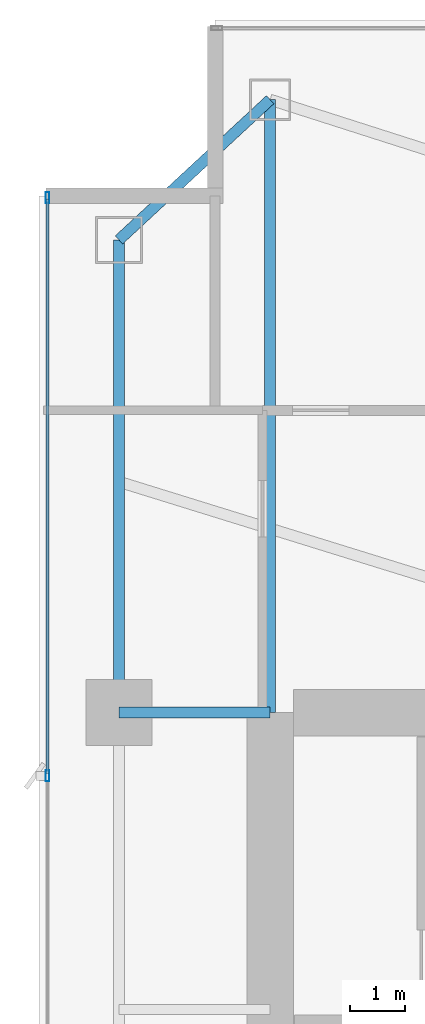
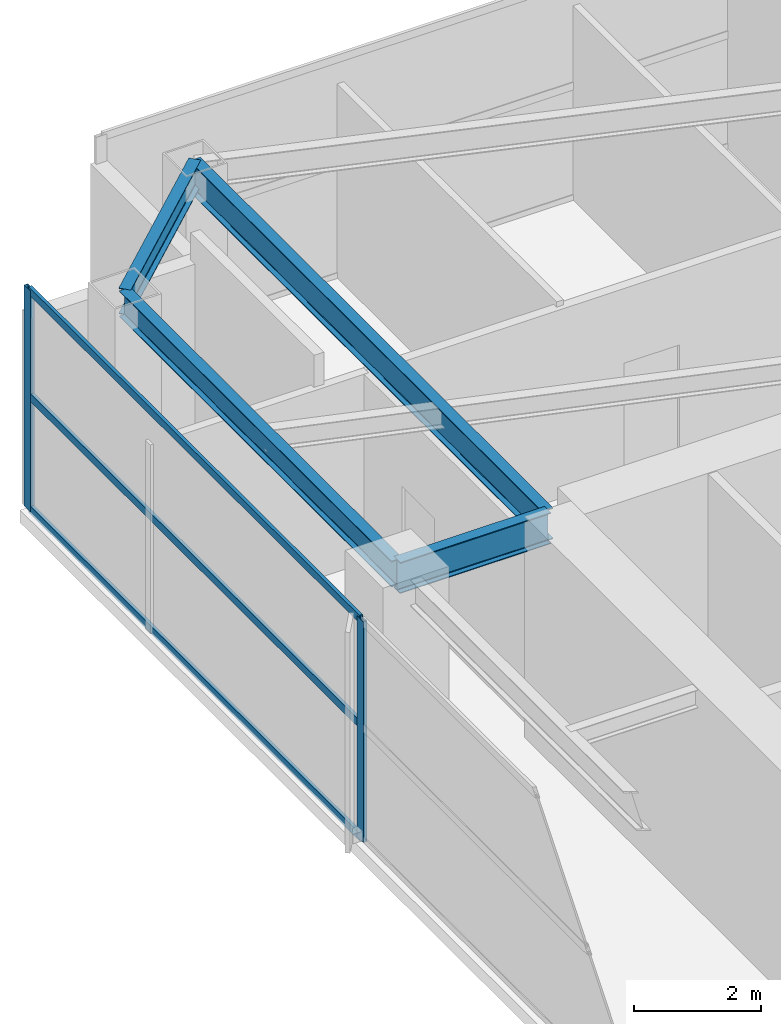
# One storey, part 15 of 26: 5 members, 4 beams, 1 element without a shape of its own.
"""IFC4 building model written with IfcOpenShell, lengths in metres."""

from ifc_helpers import new_model, si_unit, direction, frame, origin, origin_2d, place, context, subcontext, project, spatial, hollow_rectangle, i_section, extrude, material, layer, layer_set, material_profile, profile_set, type_object, element, aggregate, save


model = new_model("IFC4")

# Units and contexts
model_context = context("Model", 3, precision=1e-05, world=origin(), true_north=direction((0.0, 1.0)))
body_context = subcontext(model_context, "Body", "Model", "MODEL_VIEW")
ifc_project = project(units=[si_unit("LENGTHUNIT", "METRE"), si_unit("AREAUNIT", "SQUARE_METRE"), si_unit("VOLUMEUNIT", "CUBIC_METRE"), si_unit("PLANEANGLEUNIT", "RADIAN"), si_unit("MASSUNIT", "GRAM", prefix="KILO")], contexts=[model_context])

# Site, building, storey
site_placement = place(None, origin())
site = spatial("IfcSite", under=ifc_project, at=site_placement, CompositionType="ELEMENT")
building_placement = place(site_placement, origin())
building = spatial("IfcBuilding", under=site, at=building_placement, Name="Calvorn Quay Hotel", CompositionType="ELEMENT")
storey_placement = place(building_placement, frame((0.0, 0.0, 144.0)))
storey = spatial("IfcBuildingStorey", under=building, at=storey_placement, Name="L35", CompositionType="ELEMENT", Elevation=144.0)

# Beams
ifc_material_1 = material(Name="Steel Q355B", Category="steel")
ifc_material_profile_1 = material_profile(ifc_material_1, i_section(OverallWidth=0.199951171875, OverallDepth=0.60009765625, WebThickness=0.010986328125, FlangeThickness=0.01708984375, FilletRadius=0.01806640625, at=origin_2d()), Name="HN600x200x11x17")
ifc_profile_set_1 = profile_set([ifc_material_profile_1], Name="Steel Q355B")
beam_type_1 = type_object("IfcBeamType", Name="BM-GIRD-TYP", PredefinedType="BEAM", material=ifc_profile_set_1)
beam_1_placement = place(storey_placement, frame((1.449951171875, 38.39990234375, 3.93994140625), z_axis=(1.0, 0.0, 0.0), x_axis=(0.0, 1.0, 0.0)))
element("IfcBeam", 1, at=beam_1_placement, inside=storey, type_object=beam_type_1, Name="Beam BG-L35-W3", PredefinedType="BEAM", context=body_context, shape_type="SweptSolid", body=[
    extrude(i_section(OverallWidth=0.199951171875, OverallDepth=0.60009765625, WebThickness=0.010986328125, FlangeThickness=0.01708984375, FilletRadius=0.01806640625, at=origin_2d()), origin(), (0.0, 0.0, 1.0), 2.75),
])
beam_2_placement = place(storey_placement, frame((4.199951171875, 49.550048828125, 3.93994140625), z_axis=(0.0, -1.0, 0.0), x_axis=(1.0, 0.0, 0.0)))
element("IfcBeam", 2, at=beam_2_placement, inside=storey, type_object=beam_type_1, Name="Beam BG-L35-W5", PredefinedType="BEAM", context=body_context, shape_type="SweptSolid", body=[
    extrude(i_section(OverallWidth=0.199951171875, OverallDepth=0.60009765625, WebThickness=0.010986328125, FlangeThickness=0.01708984375, FilletRadius=0.01806640625, at=origin_2d()), origin(), (0.0, 0.0, 1.0), 11.150146484375),
])
ifc_material_2 = material(Name="Steel Q355B", Category="steel")
ifc_material_profile_2 = material_profile(ifc_material_2, i_section(OverallWidth=0.199951171875, OverallDepth=0.5, WebThickness=0.010009765625, FlangeThickness=0.01611328125, FilletRadius=0.01611328125, at=origin_2d()), Name="HN500x200x10x16")
ifc_profile_set_2 = profile_set([ifc_material_profile_2], Name="Steel Q355B")
beam_type_2 = type_object("IfcBeamType", Name="BM-SPANDREL-Z1", PredefinedType="SPANDREL", material=ifc_profile_set_2)
beam_3_placement = place(storey_placement, frame((1.449951171875, 38.39990234375, 3.989990234375), z_axis=(0.0, 1.0, 0.0), x_axis=(-1.0, 0.0, 0.0)))
element("IfcBeam", 3, at=beam_3_placement, inside=storey, type_object=beam_type_2, Name="Beam BSP-L35-W4", PredefinedType="SPANDREL", context=body_context, shape_type="SweptSolid", body=[
    extrude(i_section(OverallWidth=0.199951171875, OverallDepth=0.5, WebThickness=0.010009765625, FlangeThickness=0.01611328125, FilletRadius=0.01611328125, at=origin_2d()), origin(), (0.0, 0.0, 1.0), 8.60009765625),
])
beam_4_placement = place(storey_placement, frame((1.449951171875, 47.0, 3.989990234375), z_axis=(0.733261665538, 0.679946563969, 0.0), x_axis=(-0.679946563969, 0.733261665538, 0.0)))
element("IfcBeam", 4, at=beam_4_placement, inside=storey, type_object=beam_type_2, Name="Beam BSP-L35-W5", PredefinedType="SPANDREL", context=body_context, shape_type="SweptSolid", body=[
    extrude(i_section(OverallWidth=0.199951171875, OverallDepth=0.5, WebThickness=0.010009765625, FlangeThickness=0.01611328125, FilletRadius=0.01611328125, at=origin_2d()), origin(), (0.0, 0.0, 1.0), 3.75048828125),
])

# Curtain wall, members
ifc_material_3 = material(Name="Pale Anodised Aluminium and Low-E Glass", Category="aluminium")
ifc_layer = layer(ifc_material_3, 0.219970703125)
ifc_layer_set = layer_set([ifc_layer], Name="CW-SYS-Z2")
curtain_wall_type = type_object("IfcCurtainWallType", Name="CW-SYS-Z2", PredefinedType="NOTDEFINED", material=ifc_layer_set)
curtain_wall_placement = place(storey_placement, origin())
curtain_wall = element("IfcCurtainWall", 5, at=curtain_wall_placement, inside=storey, type_object=curtain_wall_type, Name="Tower West Curtain Wall (L35)", PredefinedType="NOTDEFINED")
ifc_material_4 = material(Name="Pale Anodised Aluminium 6063-T6", Category="aluminium")
ifc_material_profile_3 = material_profile(ifc_material_4, hollow_rectangle(XDim=0.070068359375, YDim=0.199951171875, WallThickness=0.00390625, at=origin_2d()), Name="ALU-M200x70x4")
ifc_profile_set_3 = profile_set([ifc_material_profile_3], Name="Pale Anodised Aluminium 6063-T6")
member_type_1 = type_object("IfcMemberType", Name="CW-SYS-Z2-MUL", PredefinedType="MULLION", material=ifc_profile_set_3)
member_1_placement = place(storey_placement, frame((0.14990234375, 37.25, 0.0), z_axis=(0.0, 0.0, 1.0), x_axis=(-1.0, 0.0, 0.0)))
member_1 = element("IfcMember", 6, at=member_1_placement, type_object=member_type_1, Name="CW-L35-W mullion 4", PredefinedType="MULLION", context=body_context, shape_type="SweptSolid", body=[
    extrude(hollow_rectangle(XDim=0.070068359375, YDim=0.199951171875, WallThickness=0.00390625, at=origin_2d()), origin(), (0.0, 0.0, 1.0), 4.260009765625),
])
member_2_placement = place(storey_placement, frame((0.14990234375, 47.77001953125, 0.0), z_axis=(0.0, 0.0, 1.0), x_axis=(-1.0, 0.0, 0.0)))
member_2 = element("IfcMember", 7, at=member_2_placement, type_object=member_type_1, Name="CW-L35-W mullion 5", PredefinedType="MULLION", context=body_context, shape_type="SweptSolid", body=[
    extrude(hollow_rectangle(XDim=0.070068359375, YDim=0.199951171875, WallThickness=0.00390625, at=origin_2d()), origin(), (0.0, 0.0, 1.0), 4.260009765625),
])
ifc_material_5 = material(Name="Pale Anodised Aluminium 6063-T6", Category="aluminium")
ifc_material_profile_4 = material_profile(ifc_material_5, hollow_rectangle(XDim=0.06005859375, YDim=0.14990234375, WallThickness=0.00341796875, at=origin_2d()), Name="ALU-T150x60x3.5")
ifc_profile_set_4 = profile_set([ifc_material_profile_4], Name="Pale Anodised Aluminium 6063-T6")
member_type_2 = type_object("IfcMemberType", Name="CW-SYS-Z2-TRN", PredefinedType="USERDEFINED", material=ifc_profile_set_4)
member_3_placement = place(storey_placement, frame((0.14990234375, 37.280029296875, 0.030029296875), z_axis=(0.0, 1.0, 0.0), x_axis=(-1.0, 0.0, 0.0)))
member_3 = element("IfcMember", 8, at=member_3_placement, type_object=member_type_2, Name="CW-L35-W transom 4.1", ObjectType="TRANSOM", PredefinedType="USERDEFINED", context=body_context, shape_type="SweptSolid", body=[
    extrude(hollow_rectangle(XDim=0.06005859375, YDim=0.14990234375, WallThickness=0.00341796875, at=origin_2d()), origin(), (0.0, 0.0, 1.0), 10.4599609375),
])
member_4_placement = place(storey_placement, frame((0.14990234375, 37.280029296875, 2.199951171875), z_axis=(0.0, 1.0, 0.0), x_axis=(-1.0, 0.0, 0.0)))
member_4 = element("IfcMember", 9, at=member_4_placement, type_object=member_type_2, Name="CW-L35-W transom 4.2", ObjectType="TRANSOM", PredefinedType="USERDEFINED", context=body_context, shape_type="SweptSolid", body=[
    extrude(hollow_rectangle(XDim=0.06005859375, YDim=0.14990234375, WallThickness=0.00341796875, at=origin_2d()), origin(), (0.0, 0.0, 1.0), 10.4599609375),
])
member_5_placement = place(storey_placement, frame((0.14990234375, 37.280029296875, 4.22998046875), z_axis=(0.0, 1.0, 0.0), x_axis=(-1.0, 0.0, 0.0)))
member_5 = element("IfcMember", 10, at=member_5_placement, type_object=member_type_2, Name="CW-L35-W transom 4.3", ObjectType="TRANSOM", PredefinedType="USERDEFINED", context=body_context, shape_type="SweptSolid", body=[
    extrude(hollow_rectangle(XDim=0.06005859375, YDim=0.14990234375, WallThickness=0.00341796875, at=origin_2d()), origin(), (0.0, 0.0, 1.0), 10.4599609375),
])
aggregate(curtain_wall, [member_1, member_2, member_3, member_4, member_5])

save(model, "model.ifc")
